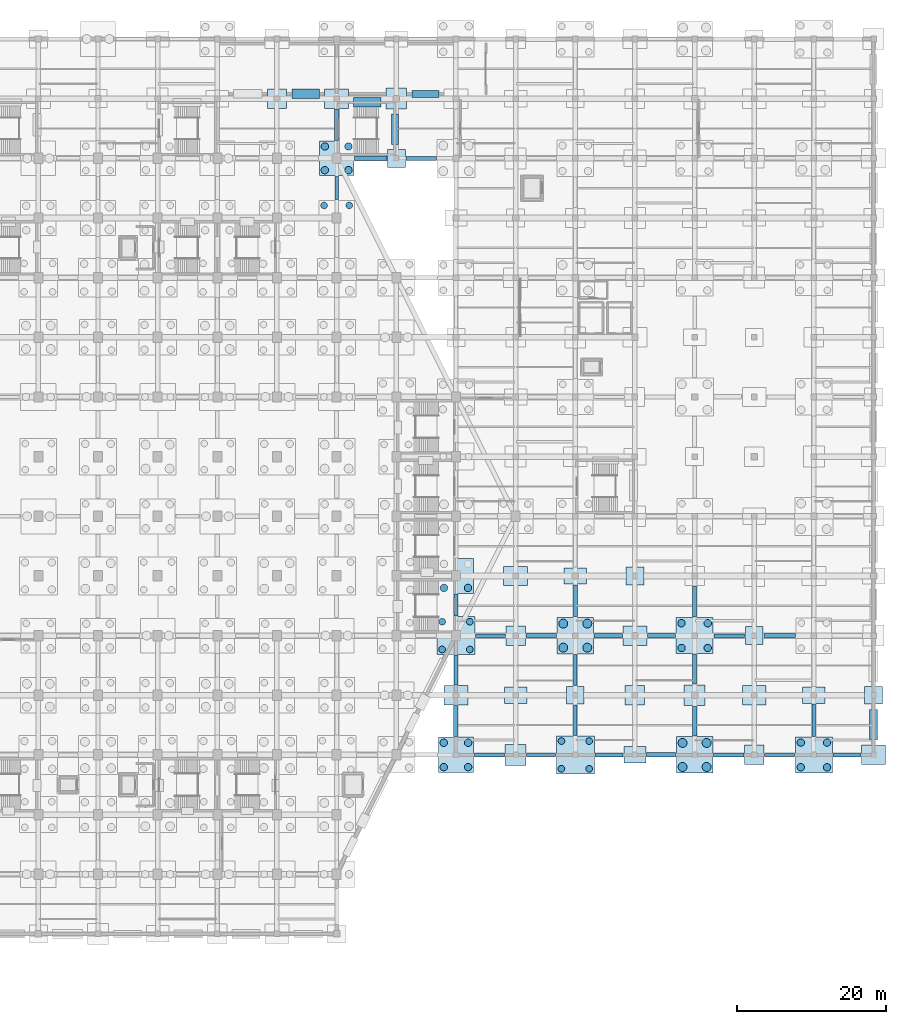
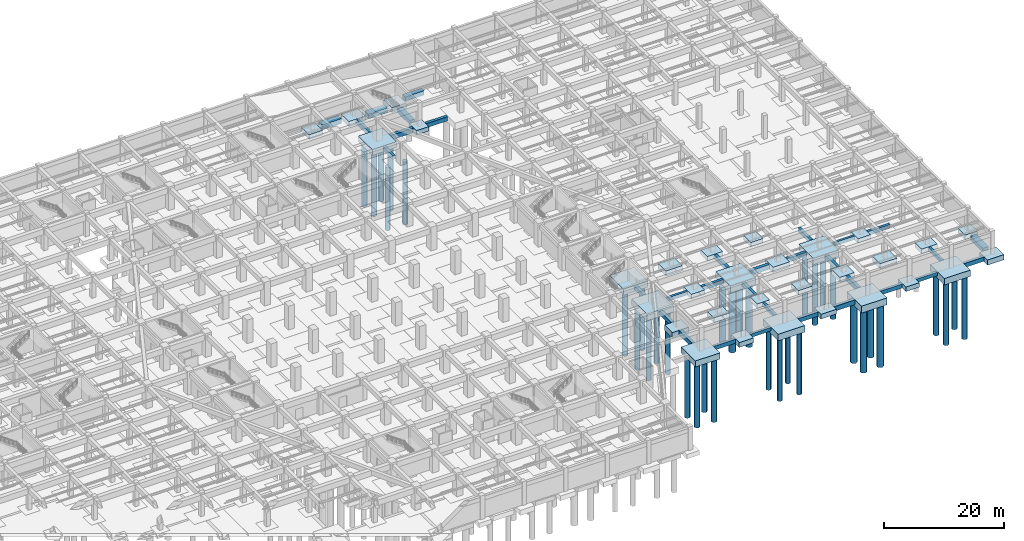
# One storey, part 12 of 36: 63 footings, 36 piles.
"""IFC4 building model written with IfcOpenShell, lengths in metres."""

import ifcopenshell
import ifcopenshell.guid

model = None  # the IFC model being written
_history = None  # IfcOwnerHistory: only IFC2X3 demands one
_inside = {}  # id of a spatial element -> (the spatial element, [elements in it])
_under = {}  # id of a project, library or spatial element -> (it, [spatial elements below it])
_declared = {}  # id of a project -> (the project, [libraries it declares])
_typed = {}  # id of a type object -> (the type object, [elements of that type])
_made_of = {}  # id of a material, layer set ... -> (it, [elements and type objects made of it])


def new_model(schema):
    """Start an empty IFC model of exactly this schema.

    Asked for "IFC4X3", IfcOpenShell would pick the latest addendum, in which some entities
    have other attributes; the version numbers below select the first issue.
    IFC2X3 requires an IfcOwnerHistory on every rooted entity: one is made here for all.
    """
    global model, _history
    if schema == "IFC4X3":
        model = ifcopenshell.file(schema_version=(4, 3, 0, 0))
    else:
        model = ifcopenshell.file(schema=schema)
    _inside.clear()
    _under.clear()
    _declared.clear()
    _typed.clear()
    _made_of.clear()
    _history = None
    if model.schema == "IFC2X3":
        org = make("IfcOrganization", Name="unknown")
        user = make(
            "IfcPersonAndOrganization",
            ThePerson=make("IfcPerson", FamilyName="unknown"),
            TheOrganization=org,
        )
        app = make(
            "IfcApplication",
            ApplicationDeveloper=org,
            Version="unknown",
            ApplicationFullName="unknown",
            ApplicationIdentifier="unknown",
        )
        _history = make(
            "IfcOwnerHistory",
            OwningUser=user,
            OwningApplication=app,
            ChangeAction="ADDED",
            CreationDate=0,
        )
    return model


def make(cls, **values):
    """One entity of the class cls with the attributes given. An attribute that is None is left unset."""
    return model.create_entity(
        cls, **{name: value for name, value in values.items() if value is not None}
    )


def rooted(cls, **values):
    """An entity with a GlobalId (a new one), such as an element, a storey or a relation."""
    return make(cls, GlobalId=ifcopenshell.guid.new(), OwnerHistory=_history, **values)


def si_unit(unit_type, name, prefix=None):
    """IfcSIUnit, for example si_unit("LENGTHUNIT", "METRE", prefix="MILLI")."""
    return make("IfcSIUnit", UnitType=unit_type, Prefix=prefix, Name=name)


def assignment(units):
    """IfcUnitAssignment: the units of a project."""
    return None if units is None else make("IfcUnitAssignment", Units=units)


def point(xyz):
    """IfcCartesianPoint."""
    return None if xyz is None else make("IfcCartesianPoint", Coordinates=xyz)


def direction(xyz):
    """IfcDirection."""
    return None if xyz is None else make("IfcDirection", DirectionRatios=xyz)


def frame(location, z_axis=None, x_axis=None):
    """IfcAxis2Placement3D, a coordinate frame: its origin and axes. An axis left out is left unset."""
    return make(
        "IfcAxis2Placement3D",
        Location=point(location),
        Axis=direction(z_axis),
        RefDirection=direction(x_axis),
    )


def frame_2d(location, x_axis=None):
    """IfcAxis2Placement2D, a coordinate frame in the plane: its origin and x axis."""
    return make(
        "IfcAxis2Placement2D", Location=point(location), RefDirection=direction(x_axis)
    )


def origin():
    """The frame at (0, 0, 0) with its axes left unset."""
    return frame((0.0, 0.0, 0.0))


def origin_2d():
    """The frame at (0, 0) in the plane with its x axis left unset."""
    return frame_2d((0.0, 0.0))


def place(relative_to, where):
    """IfcLocalPlacement: puts the frame where relative to a parent placement (None: the world)."""
    return make(
        "IfcLocalPlacement", PlacementRelTo=relative_to, RelativePlacement=where
    )


def context(
    kind, dimensions, precision=None, world=None, true_north=None, identifier=None
):
    """IfcGeometricRepresentationContext, for example the 3D "Model" context."""
    return make(
        "IfcGeometricRepresentationContext",
        ContextIdentifier=identifier,
        ContextType=kind,
        CoordinateSpaceDimension=dimensions,
        Precision=precision,
        WorldCoordinateSystem=world,
        TrueNorth=true_north,
    )


def subcontext(parent, identifier, kind, view, scale=None):
    """IfcGeometricRepresentationSubContext, for example "Body" below "Model"."""
    return make(
        "IfcGeometricRepresentationSubContext",
        ContextIdentifier=identifier,
        ContextType=kind,
        ParentContext=parent,
        TargetScale=scale,
        TargetView=view,
    )


def project(units=None, contexts=None):
    """IfcProject with its units and contexts."""
    return rooted(
        "IfcProject",
        Name="project",
        RepresentationContexts=contexts,
        UnitsInContext=assignment(units),
    )


def spatial(cls, under=None, at=None, **own):
    """A site, building, storey or space (cls), placed at a placement, below another one or the project."""
    s = rooted(cls, ObjectPlacement=at, **own)
    if under is not None:
        _under.setdefault(under.id(), (under, []))[1].append(s)
    return s


def profile(cls, at=None, kind="AREA", **sizes):
    """A parametric profile (cls). Its sizes go by their IFC names, for example OverallWidth=200.0."""
    return make(cls, ProfileType=kind, Position=at, **sizes)


def rectangle(**sizes):
    """IfcRectangleProfileDef."""
    return profile("IfcRectangleProfileDef", **sizes)


def circle(**sizes):
    """IfcCircleProfileDef."""
    return profile("IfcCircleProfileDef", **sizes)


def extrude(swept, where, along, depth):
    """IfcExtrudedAreaSolid: the profile swept, set in the frame where, extruded along a direction by depth."""
    return make(
        "IfcExtrudedAreaSolid",
        SweptArea=swept,
        Position=where,
        ExtrudedDirection=direction(along),
        Depth=depth,
    )


def shape(context_of_items, identifier, shape_type, items):
    """IfcShapeRepresentation: the items that make up one representation, for example the "Body"."""
    return make(
        "IfcShapeRepresentation",
        ContextOfItems=context_of_items,
        RepresentationIdentifier=identifier,
        RepresentationType=shape_type,
        Items=items,
    )


def material(Name=None, Category=None):
    """IfcMaterial."""
    return make("IfcMaterial", Name=Name, Category=Category)


def material_profile(
    of_material, cross_section, Name=None, Category=None, Priority=None
):
    """IfcMaterialProfile: a cross section and its material."""
    return make(
        "IfcMaterialProfile",
        Name=Name,
        Material=of_material,
        Profile=cross_section,
        Priority=Priority,
        Category=Category,
    )


def profile_set(profiles, Name=None, composite=None):
    """IfcMaterialProfileSet."""
    return make(
        "IfcMaterialProfileSet",
        Name=Name,
        MaterialProfiles=profiles,
        CompositeProfile=composite,
    )


def made_of(thing, what):
    """Note that an element or type object is made of a material, layer set ...; save() writes the relation."""
    if what is not None:
        _made_of.setdefault(what.id(), (what, []))[1].append(thing)
    return thing


def type_object(cls, material=None, **own):
    """A type object (cls), such as IfcWallType, which elements share."""
    return made_of(rooted(cls, **own), material)


def element(
    cls,
    number,
    at=None,
    inside=None,
    cuts=None,
    type_object=None,
    material=None,
    context=None,
    identifier="Body",
    shape_type=None,
    held_by="IfcProductDefinitionShape",
    body=None,
    shapes=None,
    **own,
):
    """One element of the class cls, such as IfcWall. Its Tag is "e" and its number.

    at: its placement. inside: the storey or other place that contains it. cuts: it is an
    opening in that element (IfcRelVoidsElement). A single representation is given by context,
    identifier, shape_type and body (its items); several are given by shapes. held_by: the class
    of the entity that holds the representations. save() writes the other relations.
    """
    e = rooted(cls, Tag="e%d" % number, ObjectPlacement=at, **own)
    if body is not None:
        shapes = [shape(context, identifier, shape_type, body)]
    if shapes is not None:
        e.Representation = make(held_by, Representations=shapes)
    if inside is not None:
        _inside.setdefault(inside.id(), (inside, []))[1].append(e)
    if cuts is not None:
        rooted(
            "IfcRelVoidsElement", RelatingBuildingElement=cuts, RelatedOpeningElement=e
        )
    if type_object is not None:
        _typed.setdefault(type_object.id(), (type_object, []))[1].append(e)
    return made_of(e, material)


def aggregate(whole, parts):
    """IfcRelAggregates: a whole, such as a stair, and the parts it consists of."""
    return rooted("IfcRelAggregates", RelatingObject=whole, RelatedObjects=parts)


def save(model, path):
    """Write the relations noted so far, then the file.

    IfcRelAggregates (storeys below a building ...), IfcRelContainedInSpatialStructure (elements
    in a storey), IfcRelDefinesByType, IfcRelAssociatesMaterial and IfcRelDeclares: one each for
    every whole, place, type object, material and project.
    """
    for whole, parts in _under.values():
        aggregate(whole, parts)
    for where, things in _inside.values():
        rooted(
            "IfcRelContainedInSpatialStructure",
            RelatedElements=things,
            RelatingStructure=where,
        )
    for kind, things in _typed.values():
        rooted("IfcRelDefinesByType", RelatedObjects=things, RelatingType=kind)
    for what, things in _made_of.values():
        rooted("IfcRelAssociatesMaterial", RelatedObjects=things, RelatingMaterial=what)
    for by, libraries in _declared.values():
        rooted("IfcRelDeclares", RelatingContext=by, RelatedDefinitions=libraries)
    model.write(path)


model = new_model("IFC4")

# Units and contexts
model_context = context("Model", 3, precision=1e-05, world=origin(), true_north=direction((0.0, 1.0)))
body_context = subcontext(model_context, "Body", "Model", "MODEL_VIEW")
ifc_project = project(units=[si_unit("LENGTHUNIT", "METRE"), si_unit("AREAUNIT", "SQUARE_METRE"), si_unit("VOLUMEUNIT", "CUBIC_METRE"), si_unit("PLANEANGLEUNIT", "RADIAN"), si_unit("MASSUNIT", "GRAM", prefix="KILO")], contexts=[model_context])

# Site, building, storey
site_placement = place(None, origin())
site = spatial("IfcSite", under=ifc_project, at=site_placement, CompositionType="ELEMENT")
building_placement = place(site_placement, origin())
building = spatial("IfcBuilding", under=site, at=building_placement, Name="Tazarka Park Arena", CompositionType="ELEMENT")
storey_placement = place(building_placement, frame((0.0, 0.0, -4.800048828125)))
storey = spatial("IfcBuildingStorey", under=building, at=storey_placement, Name="B1", CompositionType="ELEMENT", Elevation=-4.800048828125)

# Footings
ifc_material_1 = material(Name="Concrete C35/45", Category="concrete")
footing_type_1 = type_object("IfcFootingType", Name="CAP-PC-01", PredefinedType="PILE_CAP", material=ifc_material_1)
footing_1_placement = place(storey_placement, frame((128.0, 56.0, -1.19970703125), z_axis=(0.0, 0.0, 1.0), x_axis=(1.0, 0.0, 0.0)))
element("IfcFooting", 1, at=footing_1_placement, inside=storey, type_object=footing_type_1, Name="CAP-G-16-07", PredefinedType="PILE_CAP", context=body_context, shape_type="SweptSolid", body=[
    extrude(rectangle(XDim=4.699951171875, YDim=4.699951171875, at=origin_2d()), origin(), (0.0, 0.0, 1.0), 1.199951171875),
])
ifc_material_2 = material(Name="Concrete C35/45", Category="concrete")
footing_type_2 = type_object("IfcFootingType", Name="CAP-PC-02", PredefinedType="PILE_CAP", material=ifc_material_2)
for number, where, z_axis, x_axis, name in (
    (2, (144.0, 48.0, -1.39990234375), (0.0, 0.0, 1.0), (1.0, 0.0, 0.0), "CAP-G-18-06"),
    (3, (160.0, 32.0, -1.39990234375), (0.0, 0.0, 1.0), (1.0, 0.0, 0.0), "CAP-G-20-04"),
):
    element("IfcFooting", number, at=place(storey_placement, frame(where, z_axis=z_axis, x_axis=x_axis)), inside=storey, type_object=footing_type_2, Name=name, PredefinedType="PILE_CAP", context=body_context, shape_type="SweptSolid", body=[
        extrude(rectangle(XDim=4.89990234375, YDim=4.89990234375, at=origin_2d()), origin(), (0.0, 0.0, 1.0), 1.39990234375),
    ])
ifc_material_3 = material(Name="Concrete C35/45", Category="concrete")
footing_type_3 = type_object("IfcFootingType", Name="CAP-PC-04", PredefinedType="PILE_CAP", material=ifc_material_3)
for number, where, z_axis, x_axis, name in (
    (4, (160.0, 48.0, -1.2998046875), (0.0, 0.0, 1.0), (1.0, 0.0, 0.0), "CAP-G-20-06"),
    (5, (176.0, 32.0, -1.2998046875), (0.0, 0.0, 1.0), (1.0, 0.0, 0.0), "CAP-G-22-04"),
):
    element("IfcFooting", number, at=place(storey_placement, frame(where, z_axis=z_axis, x_axis=x_axis)), inside=storey, type_object=footing_type_3, Name=name, PredefinedType="PILE_CAP", context=body_context, shape_type="SweptSolid", body=[
        extrude(rectangle(XDim=5.0, YDim=4.800048828125, at=origin_2d()), origin(), (0.0, 0.0, 1.0), 1.300048828125),
    ])
ifc_material_4 = material(Name="Concrete C35/45", Category="concrete")
footing_type_4 = type_object("IfcFootingType", Name="CAP-PC-06", PredefinedType="PILE_CAP", material=ifc_material_4)
footing_2_placement = place(storey_placement, frame((128.0, 32.0, -1.25), z_axis=(0.0, 0.0, 1.0), x_axis=(1.0, 0.0, 0.0)))
element("IfcFooting", 6, at=footing_2_placement, inside=storey, type_object=footing_type_4, Name="CAP-G-16-04", PredefinedType="PILE_CAP", context=body_context, shape_type="SweptSolid", body=[
    extrude(rectangle(XDim=4.75, YDim=4.75, at=origin_2d()), origin(), (0.0, 0.0, 1.0), 1.25),
])
ifc_material_5 = material(Name="Concrete C35/45", Category="concrete")
footing_type_5 = type_object("IfcFootingType", Name="CAP-PC-07", PredefinedType="PILE_CAP", material=ifc_material_5)
footing_3_placement = place(storey_placement, frame((112.0, 112.0, -1.14990234375), z_axis=(0.0, 0.0, 1.0), x_axis=(1.0, 0.0, 0.0)))
element("IfcFooting", 7, at=footing_3_placement, inside=storey, type_object=footing_type_5, Name="CAP-G-14-14", PredefinedType="PILE_CAP", context=body_context, shape_type="SweptSolid", body=[
    extrude(rectangle(XDim=4.64990234375, YDim=4.64990234375, at=origin_2d()), origin(), (0.0, 0.0, 1.0), 1.14990234375),
])
ifc_material_6 = material(Name="Concrete C35/45", Category="concrete")
footing_type_6 = type_object("IfcFootingType", Name="CAP-PC-08", PredefinedType="PILE_CAP", material=ifc_material_6)
for number, where, z_axis, x_axis, name in (
    (8, (128.0, 48.0, -1.35009765625), (0.0, 0.0, 1.0), (1.0, 0.0, 0.0), "CAP-G-16-06"),
    (9, (144.0, 32.0, -1.35009765625), (0.0, 0.0, 1.0), (1.0, 0.0, 0.0), "CAP-G-18-04"),
):
    element("IfcFooting", number, at=place(storey_placement, frame(where, z_axis=z_axis, x_axis=x_axis)), inside=storey, type_object=footing_type_6, Name=name, PredefinedType="PILE_CAP", context=body_context, shape_type="SweptSolid", body=[
        extrude(rectangle(XDim=5.10009765625, YDim=5.10009765625, at=origin_2d()), origin(), (0.0, 0.0, 1.0), 1.35009765625),
    ])
ifc_material_7 = material(Name="Concrete C35/45", Category="concrete")
ifc_material_profile_1 = material_profile(ifc_material_7, rectangle(XDim=0.449951171875, YDim=0.699951171875, at=origin_2d()), Name="Concrete C35/45")
ifc_profile_set_1 = profile_set([ifc_material_profile_1], Name="Concrete C35/45")
footing_type_7 = type_object("IfcFootingType", Name="GB-GB-01", PredefinedType="FOOTING_BEAM", material=ifc_profile_set_1)
footing_4_placement = place(storey_placement, frame((130.6298828125, 48.0, -0.349853515625), z_axis=(1.0, 0.0, 0.0), x_axis=(0.0, 1.0, 0.0)))
element("IfcFooting", 10, at=footing_4_placement, inside=storey, type_object=footing_type_7, Name="GB-X-16-06", PredefinedType="FOOTING_BEAM", context=body_context, shape_type="SweptSolid", body=[
    extrude(rectangle(XDim=0.449951171875, YDim=0.699951171875, at=origin_2d()), origin(), (0.0, 0.0, 1.0), 3.990234375),
])
footing_5_placement = place(storey_placement, frame((137.47998046875, 32.0, -0.349853515625), z_axis=(1.0, 0.0, 0.0), x_axis=(0.0, 1.0, 0.0)))
element("IfcFooting", 11, at=footing_5_placement, inside=storey, type_object=footing_type_7, Name="GB-X-17-04", PredefinedType="FOOTING_BEAM", context=body_context, shape_type="SweptSolid", body=[
    extrude(rectangle(XDim=0.449951171875, YDim=0.699951171875, at=origin_2d()), origin(), (0.0, 0.0, 1.0), 3.89013671875),
])
footing_6_placement = place(storey_placement, frame((144.0, 34.6298828125, -0.349853515625), z_axis=(0.0, 1.0, 0.0), x_axis=(-1.0, 0.0, 0.0)))
element("IfcFooting", 12, at=footing_6_placement, inside=storey, type_object=footing_type_7, Name="GB-Y-18-04", PredefinedType="FOOTING_BEAM", context=body_context, shape_type="SweptSolid", body=[
    extrude(rectangle(XDim=0.449951171875, YDim=0.699951171875, at=origin_2d()), origin(), (0.0, 0.0, 1.0), 4.090087890625),
])
footing_7_placement = place(storey_placement, frame((162.580078125, 48.0, -0.349853515625), z_axis=(1.0, 0.0, 0.0), x_axis=(0.0, 1.0, 0.0)))
element("IfcFooting", 13, at=footing_7_placement, inside=storey, type_object=footing_type_7, Name="GB-X-20-06", PredefinedType="FOOTING_BEAM", context=body_context, shape_type="SweptSolid", body=[
    extrude(rectangle(XDim=0.449951171875, YDim=0.699951171875, at=origin_2d()), origin(), (0.0, 0.0, 1.0), 4.139892578125),
])
footing_8_placement = place(storey_placement, frame((169.3798828125, 32.0, -0.349853515625), z_axis=(1.0, 0.0, 0.0), x_axis=(0.0, 1.0, 0.0)))
element("IfcFooting", 14, at=footing_8_placement, inside=storey, type_object=footing_type_7, Name="GB-X-21-04", PredefinedType="FOOTING_BEAM", context=body_context, shape_type="SweptSolid", body=[
    extrude(rectangle(XDim=0.449951171875, YDim=0.699951171875, at=origin_2d()), origin(), (0.0, 0.0, 1.0), 4.0400390625),
])
footing_9_placement = place(storey_placement, frame((176.0, 34.47998046875, -0.349853515625), z_axis=(0.0, 1.0, 0.0), x_axis=(-1.0, 0.0, 0.0)))
element("IfcFooting", 15, at=footing_9_placement, inside=storey, type_object=footing_type_7, Name="GB-Y-22-04", PredefinedType="FOOTING_BEAM", context=body_context, shape_type="SweptSolid", body=[
    extrude(rectangle(XDim=0.449951171875, YDim=0.699951171875, at=origin_2d()), origin(), (0.0, 0.0, 1.0), 4.340087890625),
])
ifc_material_8 = material(Name="Concrete C35/45", Category="concrete")
ifc_material_profile_2 = material_profile(ifc_material_8, rectangle(XDim=0.5, YDim=0.800048828125, at=origin_2d()), Name="Concrete C35/45")
ifc_profile_set_2 = profile_set([ifc_material_profile_2], Name="Concrete C35/45")
footing_type_8 = type_object("IfcFootingType", Name="GB-GB-02", PredefinedType="FOOTING_BEAM", material=ifc_profile_set_2)
footing_10_placement = place(storey_placement, frame((112.0, 106.455078125, -0.39990234375), z_axis=(0.0, 1.0, 0.0), x_axis=(-1.0, 0.0, 0.0)))
element("IfcFooting", 16, at=footing_10_placement, inside=storey, type_object=footing_type_8, Name="GB-Y-14-13", PredefinedType="FOOTING_BEAM", context=body_context, shape_type="SweptSolid", body=[
    extrude(rectangle(XDim=0.5, YDim=0.800048828125, at=origin_2d()), origin(), (0.0, 0.0, 1.0), 3.139892578125),
])
footing_11_placement = place(storey_placement, frame((130.455078125, 32.0, -0.39990234375), z_axis=(1.0, 0.0, 0.0), x_axis=(0.0, 1.0, 0.0)))
element("IfcFooting", 17, at=footing_11_placement, inside=storey, type_object=footing_type_8, Name="GB-X-16-04", PredefinedType="FOOTING_BEAM", context=body_context, shape_type="SweptSolid", body=[
    extrude(rectangle(XDim=0.5, YDim=0.800048828125, at=origin_2d()), origin(), (0.0, 0.0, 1.0), 4.06494140625),
])
footing_12_placement = place(storey_placement, frame((128.0, 50.6298828125, -0.39990234375), z_axis=(0.0, 1.0, 0.0), x_axis=(-1.0, 0.0, 0.0)))
element("IfcFooting", 18, at=footing_12_placement, inside=storey, type_object=footing_type_8, Name="GB-Y-16-06", PredefinedType="FOOTING_BEAM", context=body_context, shape_type="SweptSolid", body=[
    extrude(rectangle(XDim=0.5, YDim=0.800048828125, at=origin_2d()), origin(), (0.0, 0.0, 1.0), 2.940185546875),
])
footing_13_placement = place(storey_placement, frame((137.3798828125, 48.0, -0.39990234375), z_axis=(1.0, 0.0, 0.0), x_axis=(0.0, 1.0, 0.0)))
element("IfcFooting", 19, at=footing_13_placement, inside=storey, type_object=footing_type_8, Name="GB-X-17-06", PredefinedType="FOOTING_BEAM", context=body_context, shape_type="SweptSolid", body=[
    extrude(rectangle(XDim=0.5, YDim=0.800048828125, at=origin_2d()), origin(), (0.0, 0.0, 1.0), 4.090087890625),
])
footing_14_placement = place(storey_placement, frame((144.0, 41.280029296875, -0.39990234375), z_axis=(0.0, 1.0, 0.0), x_axis=(-1.0, 0.0, 0.0)))
element("IfcFooting", 20, at=footing_14_placement, inside=storey, type_object=footing_type_8, Name="GB-Y-18-05", PredefinedType="FOOTING_BEAM", context=body_context, shape_type="SweptSolid", body=[
    extrude(rectangle(XDim=0.5, YDim=0.800048828125, at=origin_2d()), origin(), (0.0, 0.0, 1.0), 4.18994140625),
])
footing_15_placement = place(storey_placement, frame((162.530029296875, 32.0, -0.39990234375), z_axis=(1.0, 0.0, 0.0), x_axis=(0.0, 1.0, 0.0)))
element("IfcFooting", 21, at=footing_15_placement, inside=storey, type_object=footing_type_8, Name="GB-X-20-04", PredefinedType="FOOTING_BEAM", context=body_context, shape_type="SweptSolid", body=[
    extrude(rectangle(XDim=0.5, YDim=0.800048828125, at=origin_2d()), origin(), (0.0, 0.0, 1.0), 4.090087890625),
])
footing_16_placement = place(storey_placement, frame((160.0, 50.47998046875, -0.39990234375), z_axis=(0.0, 1.0, 0.0), x_axis=(-1.0, 0.0, 0.0)))
element("IfcFooting", 22, at=footing_16_placement, inside=storey, type_object=footing_type_8, Name="GB-Y-20-06", PredefinedType="FOOTING_BEAM", context=body_context, shape_type="SweptSolid", body=[
    extrude(rectangle(XDim=0.5, YDim=0.800048828125, at=origin_2d()), origin(), (0.0, 0.0, 1.0), 4.14013671875),
])
footing_17_placement = place(storey_placement, frame((169.280029296875, 48.0, -0.39990234375), z_axis=(1.0, 0.0, 0.0), x_axis=(0.0, 1.0, 0.0)))
element("IfcFooting", 23, at=footing_17_placement, inside=storey, type_object=footing_type_8, Name="GB-X-21-06", PredefinedType="FOOTING_BEAM", context=body_context, shape_type="SweptSolid", body=[
    extrude(rectangle(XDim=0.5, YDim=0.800048828125, at=origin_2d()), origin(), (0.0, 0.0, 1.0), 4.264892578125),
])
ifc_material_9 = material(Name="Concrete C35/45", Category="concrete")
ifc_material_profile_3 = material_profile(ifc_material_9, rectangle(XDim=0.60009765625, YDim=0.949951171875, at=origin_2d()), Name="Concrete C35/45")
ifc_profile_set_3 = profile_set([ifc_material_profile_3], Name="Concrete C35/45")
footing_type_9 = type_object("IfcFootingType", Name="GB-GB-03", PredefinedType="FOOTING_BEAM", material=ifc_profile_set_3)
footing_18_placement = place(storey_placement, frame((114.405029296875, 112.0, -0.474853515625), z_axis=(1.0, 0.0, 0.0), x_axis=(0.0, 1.0, 0.0)))
element("IfcFooting", 24, at=footing_18_placement, inside=storey, type_object=footing_type_9, Name="GB-X-14-14", PredefinedType="FOOTING_BEAM", context=body_context, shape_type="SweptSolid", body=[
    extrude(rectangle(XDim=0.60009765625, YDim=0.949951171875, at=origin_2d()), origin(), (0.0, 0.0, 1.0), 4.31494140625),
])
footing_19_placement = place(storey_placement, frame((128.0, 34.455078125, -0.474853515625), z_axis=(0.0, 1.0, 0.0), x_axis=(-1.0, 0.0, 0.0)))
element("IfcFooting", 25, at=footing_19_placement, inside=storey, type_object=footing_type_9, Name="GB-Y-16-04", PredefinedType="FOOTING_BEAM", context=body_context, shape_type="SweptSolid", body=[
    extrude(rectangle(XDim=0.60009765625, YDim=0.949951171875, at=origin_2d()), origin(), (0.0, 0.0, 1.0), 4.1650390625),
])
footing_20_placement = place(storey_placement, frame((146.530029296875, 48.0, -0.474853515625), z_axis=(1.0, 0.0, 0.0), x_axis=(0.0, 1.0, 0.0)))
element("IfcFooting", 26, at=footing_20_placement, inside=storey, type_object=footing_type_9, Name="GB-X-18-06", PredefinedType="FOOTING_BEAM", context=body_context, shape_type="SweptSolid", body=[
    extrude(rectangle(XDim=0.60009765625, YDim=0.949951171875, at=origin_2d()), origin(), (0.0, 0.0, 1.0), 3.7900390625),
])
footing_21_placement = place(storey_placement, frame((153.580078125, 32.0, -0.474853515625), z_axis=(1.0, 0.0, 0.0), x_axis=(0.0, 1.0, 0.0)))
element("IfcFooting", 27, at=footing_21_placement, inside=storey, type_object=footing_type_9, Name="GB-X-19-04", PredefinedType="FOOTING_BEAM", context=body_context, shape_type="SweptSolid", body=[
    extrude(rectangle(XDim=0.60009765625, YDim=0.949951171875, at=origin_2d()), origin(), (0.0, 0.0, 1.0), 3.889892578125),
])
footing_22_placement = place(storey_placement, frame((160.0, 34.530029296875, -0.474853515625), z_axis=(0.0, 1.0, 0.0), x_axis=(-1.0, 0.0, 0.0)))
element("IfcFooting", 28, at=footing_22_placement, inside=storey, type_object=footing_type_9, Name="GB-Y-20-04", PredefinedType="FOOTING_BEAM", context=body_context, shape_type="SweptSolid", body=[
    extrude(rectangle(XDim=0.60009765625, YDim=0.949951171875, at=origin_2d()), origin(), (0.0, 0.0, 1.0), 3.989990234375),
])
ifc_material_10 = material(Name="Concrete C35/45", Category="concrete")
ifc_material_profile_4 = material_profile(ifc_material_10, rectangle(XDim=0.550048828125, YDim=0.85009765625, at=origin_2d()), Name="Concrete C35/45")
ifc_profile_set_4 = profile_set([ifc_material_profile_4], Name="Concrete C35/45")
footing_type_10 = type_object("IfcFootingType", Name="GB-GB-04", PredefinedType="FOOTING_BEAM", material=ifc_profile_set_4)
footing_23_placement = place(storey_placement, frame((112.0, 114.405029296875, -0.425048828125), z_axis=(0.0, 1.0, 0.0), x_axis=(-1.0, 0.0, 0.0)))
element("IfcFooting", 29, at=footing_23_placement, inside=storey, type_object=footing_type_10, Name="GB-Y-14-14", PredefinedType="FOOTING_BEAM", context=body_context, shape_type="SweptSolid", body=[
    extrude(rectangle(XDim=0.550048828125, YDim=0.85009765625, at=origin_2d()), origin(), (0.0, 0.0, 1.0), 4.215087890625),
])
footing_24_placement = place(storey_placement, frame((121.280029296875, 112.0, -0.425048828125), z_axis=(1.0, 0.0, 0.0), x_axis=(0.0, 1.0, 0.0)))
element("IfcFooting", 30, at=footing_24_placement, inside=storey, type_object=footing_type_10, Name="GB-X-15-14", PredefinedType="FOOTING_BEAM", context=body_context, shape_type="SweptSolid", body=[
    extrude(rectangle(XDim=0.550048828125, YDim=0.85009765625, at=origin_2d()), origin(), (0.0, 0.0, 1.0), 4.090087890625),
])
footing_25_placement = place(storey_placement, frame((128.0, 41.3798828125, -0.425048828125), z_axis=(0.0, 1.0, 0.0), x_axis=(-1.0, 0.0, 0.0)))
element("IfcFooting", 31, at=footing_25_placement, inside=storey, type_object=footing_type_10, Name="GB-Y-16-05", PredefinedType="FOOTING_BEAM", context=body_context, shape_type="SweptSolid", body=[
    extrude(rectangle(XDim=0.550048828125, YDim=0.85009765625, at=origin_2d()), origin(), (0.0, 0.0, 1.0), 3.990234375),
])
footing_26_placement = place(storey_placement, frame((146.6298828125, 32.0, -0.425048828125), z_axis=(1.0, 0.0, 0.0), x_axis=(0.0, 1.0, 0.0)))
element("IfcFooting", 32, at=footing_26_placement, inside=storey, type_object=footing_type_10, Name="GB-X-18-04", PredefinedType="FOOTING_BEAM", context=body_context, shape_type="SweptSolid", body=[
    extrude(rectangle(XDim=0.550048828125, YDim=0.85009765625, at=origin_2d()), origin(), (0.0, 0.0, 1.0), 3.7900390625),
])
footing_27_placement = place(storey_placement, frame((144.0, 50.530029296875, -0.425048828125), z_axis=(0.0, 1.0, 0.0), x_axis=(-1.0, 0.0, 0.0)))
element("IfcFooting", 33, at=footing_27_placement, inside=storey, type_object=footing_type_10, Name="GB-Y-18-06", PredefinedType="FOOTING_BEAM", context=body_context, shape_type="SweptSolid", body=[
    extrude(rectangle(XDim=0.550048828125, YDim=0.85009765625, at=origin_2d()), origin(), (0.0, 0.0, 1.0), 4.2900390625),
])
footing_28_placement = place(storey_placement, frame((153.679931640625, 48.0, -0.425048828125), z_axis=(1.0, 0.0, 0.0), x_axis=(0.0, 1.0, 0.0)))
element("IfcFooting", 34, at=footing_28_placement, inside=storey, type_object=footing_type_10, Name="GB-X-19-06", PredefinedType="FOOTING_BEAM", context=body_context, shape_type="SweptSolid", body=[
    extrude(rectangle(XDim=0.550048828125, YDim=0.85009765625, at=origin_2d()), origin(), (0.0, 0.0, 1.0), 3.739990234375),
])
footing_29_placement = place(storey_placement, frame((160.0, 41.47998046875, -0.425048828125), z_axis=(0.0, 1.0, 0.0), x_axis=(-1.0, 0.0, 0.0)))
element("IfcFooting", 35, at=footing_29_placement, inside=storey, type_object=footing_type_10, Name="GB-Y-20-05", PredefinedType="FOOTING_BEAM", context=body_context, shape_type="SweptSolid", body=[
    extrude(rectangle(XDim=0.550048828125, YDim=0.85009765625, at=origin_2d()), origin(), (0.0, 0.0, 1.0), 4.0400390625),
])
footing_30_placement = place(storey_placement, frame((178.580078125, 32.0, -0.425048828125), z_axis=(1.0, 0.0, 0.0), x_axis=(0.0, 1.0, 0.0)))
element("IfcFooting", 36, at=footing_30_placement, inside=storey, type_object=footing_type_10, Name="GB-X-22-04", PredefinedType="FOOTING_BEAM", context=body_context, shape_type="SweptSolid", body=[
    extrude(rectangle(XDim=0.550048828125, YDim=0.85009765625, at=origin_2d()), origin(), (0.0, 0.0, 1.0), 3.739990234375),
])
ifc_material_11 = material(Name="Concrete C35/45", Category="concrete")
footing_type_11 = type_object("IfcFootingType", Name="PAD-PF-01", PredefinedType="PAD_FOOTING", material=ifc_material_11)
for number, where, z_axis, x_axis, name in (
    (37, (120.0, 112.0, -0.89990234375), (0.0, 0.0, 1.0), (1.0, 0.0, 0.0), "PAD-G-15-14"),
    (38, (144.0, 40.0, -0.89990234375), (0.0, 0.0, 1.0), (1.0, 0.0, 0.0), "PAD-G-18-05"),
    (39, (152.0, 56.0, -0.89990234375), (0.0, 0.0, 1.0), (1.0, 0.0, 0.0), "PAD-G-19-07"),
    (40, (168.0, 48.0, -0.89990234375), (0.0, 0.0, 1.0), (1.0, 0.0, 0.0), "PAD-G-21-06"),
    (41, (184.0, 40.0, -0.89990234375), (0.0, 0.0, 1.0), (1.0, 0.0, 0.0), "PAD-G-23-05"),
):
    element("IfcFooting", number, at=place(storey_placement, frame(where, z_axis=z_axis, x_axis=x_axis)), inside=storey, type_object=footing_type_11, Name=name, PredefinedType="PAD_FOOTING", context=body_context, shape_type="SweptSolid", body=[
        extrude(rectangle(XDim=2.39990234375, YDim=2.39990234375, at=origin_2d()), origin(), (0.0, 0.0, 1.0), 0.89990234375),
    ])
ifc_material_12 = material(Name="Concrete C35/45", Category="concrete")
footing_type_12 = type_object("IfcFootingType", Name="PAD-PF-02", PredefinedType="PAD_FOOTING", material=ifc_material_12)
for number, where, z_axis, x_axis, name in (
    (42, (120.0, 120.0, -1.0), (0.0, 0.0, 1.0), (1.0, 0.0, 0.0), "PAD-G-15-15"),
    (43, (136.0, 32.0, -1.0), (0.0, 0.0, 1.0), (1.0, 0.0, 0.0), "PAD-G-17-04"),
    (44, (160.0, 40.0, -1.0), (0.0, 0.0, 1.0), (1.0, 0.0, 0.0), "PAD-G-20-05"),
):
    element("IfcFooting", number, at=place(storey_placement, frame(where, z_axis=z_axis, x_axis=x_axis)), inside=storey, type_object=footing_type_12, Name=name, PredefinedType="PAD_FOOTING", context=body_context, shape_type="SweptSolid", body=[
        extrude(rectangle(XDim=2.800048828125, YDim=2.800048828125, at=origin_2d()), origin(), (0.0, 0.0, 1.0), 1.0),
    ])
ifc_material_13 = material(Name="Concrete C35/45", Category="concrete")
footing_type_13 = type_object("IfcFootingType", Name="PAD-PF-03", PredefinedType="PAD_FOOTING", material=ifc_material_13)
for number, where, z_axis, x_axis, name in (
    (45, (136.0, 40.0, -0.94970703125), (0.0, 0.0, 1.0), (1.0, 0.0, 0.0), "PAD-G-17-05"),
    (46, (144.0, 56.0, -0.94970703125), (0.0, 0.0, 1.0), (1.0, 0.0, 0.0), "PAD-G-18-07"),
    (47, (152.0, 32.0, -0.94970703125), (0.0, 0.0, 1.0), (1.0, 0.0, 0.0), "PAD-G-19-04"),
    (48, (176.0, 40.0, -0.94970703125), (0.0, 0.0, 1.0), (1.0, 0.0, 0.0), "PAD-G-22-05"),
):
    element("IfcFooting", number, at=place(storey_placement, frame(where, z_axis=z_axis, x_axis=x_axis)), inside=storey, type_object=footing_type_13, Name=name, PredefinedType="PAD_FOOTING", context=body_context, shape_type="SweptSolid", body=[
        extrude(rectangle(XDim=3.0, YDim=2.199951171875, at=origin_2d()), origin(), (0.0, 0.0, 1.0), 0.949951171875),
    ])
ifc_material_14 = material(Name="Concrete C35/45", Category="concrete")
footing_type_14 = type_object("IfcFootingType", Name="PAD-PF-04", PredefinedType="PAD_FOOTING", material=ifc_material_14)
for number, where, z_axis, x_axis, name in (
    (49, (104.0, 120.0, -0.919921875), (0.0, 0.0, 1.0), (1.0, 0.0, 0.0), "PAD-G-13-15"),
    (50, (136.0, 48.0, -0.919921875), (0.0, 0.0, 1.0), (1.0, 0.0, 0.0), "PAD-G-17-06"),
    (51, (152.0, 40.0, -0.919921875), (0.0, 0.0, 1.0), (1.0, 0.0, 0.0), "PAD-G-19-05"),
    (52, (168.0, 32.0, -0.919921875), (0.0, 0.0, 1.0), (1.0, 0.0, 0.0), "PAD-G-21-04"),
):
    element("IfcFooting", number, at=place(storey_placement, frame(where, z_axis=z_axis, x_axis=x_axis)), inside=storey, type_object=footing_type_14, Name=name, PredefinedType="PAD_FOOTING", context=body_context, shape_type="SweptSolid", body=[
        extrude(rectangle(XDim=2.60009765625, YDim=2.60009765625, at=origin_2d()), origin(), (0.0, 0.0, 1.0), 0.919921875),
    ])
ifc_material_15 = material(Name="Concrete C35/45", Category="concrete")
footing_type_15 = type_object("IfcFootingType", Name="PAD-PF-05", PredefinedType="PAD_FOOTING", material=ifc_material_15)
for number, where, z_axis, x_axis, name in (
    (53, (112.0, 120.0, -1.0498046875), (0.0, 0.0, 1.0), (1.0, 0.0, 0.0), "PAD-G-14-15"),
    (54, (128.0, 40.0, -1.0498046875), (0.0, 0.0, 1.0), (1.0, 0.0, 0.0), "PAD-G-16-05"),
    (55, (136.0, 56.0, -1.0498046875), (0.0, 0.0, 1.0), (1.0, 0.0, 0.0), "PAD-G-17-07"),
    (56, (152.0, 48.0, -1.0498046875), (0.0, 0.0, 1.0), (1.0, 0.0, 0.0), "PAD-G-19-06"),
    (57, (168.0, 40.0, -1.0498046875), (0.0, 0.0, 1.0), (1.0, 0.0, 0.0), "PAD-G-21-05"),
    (58, (184.0, 32.0, -1.0498046875), (0.0, 0.0, 1.0), (1.0, 0.0, 0.0), "PAD-G-23-04"),
):
    element("IfcFooting", number, at=place(storey_placement, frame(where, z_axis=z_axis, x_axis=x_axis)), inside=storey, type_object=footing_type_15, Name=name, PredefinedType="PAD_FOOTING", context=body_context, shape_type="SweptSolid", body=[
        extrude(rectangle(XDim=3.199951171875, YDim=2.60009765625, at=origin_2d()), origin(), (0.0, 0.0, 1.0), 1.050048828125),
    ])

# Piles
ifc_material_16 = material(Name="Concrete C35/45", Category="concrete")
ifc_material_profile_5 = material_profile(ifc_material_16, circle(Radius=0.5, at=origin_2d()), Name="Concrete C35/45")
ifc_profile_set_5 = profile_set([ifc_material_profile_5], Name="Concrete C35/45")
pile_type_1 = type_object("IfcPileType", Name="PILE-D1000", PredefinedType="BORED", material=ifc_profile_set_5)
for number, where, z_axis, x_axis, name in (
    (59, (110.4150390625, 110.4150390625, -1.050048828125), (0.0, 0.0, -1.0), (1.0, 0.0, 0.0), "PLN-G-14-14-1"),
    (60, (113.5849609375, 110.4150390625, -1.050048828125), (0.0, 0.0, -1.0), (1.0, 0.0, 0.0), "PLN-G-14-14-2"),
    (61, (110.4150390625, 113.5849609375, -1.050048828125), (0.0, 0.0, -1.0), (1.0, 0.0, 0.0), "PLN-G-14-14-3"),
    (62, (113.5849609375, 113.5849609375, -1.050048828125), (0.0, 0.0, -1.0), (1.0, 0.0, 0.0), "PLN-G-14-14-4"),
):
    element("IfcPile", number, at=place(storey_placement, frame(where, z_axis=z_axis, x_axis=x_axis)), inside=storey, type_object=pile_type_1, Name=name, PredefinedType="BORED", context=body_context, shape_type="SweptSolid", body=[
        extrude(circle(Radius=0.5, at=origin_2d()), origin(), (0.0, 0.0, 1.0), 12.949951171875),
    ])
for number, where, z_axis, x_axis, name in (
    (63, (126.364990234375, 30.364990234375, -1.14990234375), (0.0, 0.0, -1.0), (1.0, 0.0, 0.0), "PLN-G-16-04-1"),
    (64, (129.635009765625, 30.364990234375, -1.14990234375), (0.0, 0.0, -1.0), (1.0, 0.0, 0.0), "PLN-G-16-04-2"),
    (65, (126.364990234375, 33.635009765625, -1.14990234375), (0.0, 0.0, -1.0), (1.0, 0.0, 0.0), "PLN-G-16-04-3"),
    (66, (129.635009765625, 33.635009765625, -1.14990234375), (0.0, 0.0, -1.0), (1.0, 0.0, 0.0), "PLN-G-16-04-4"),
):
    element("IfcPile", number, at=place(storey_placement, frame(where, z_axis=z_axis, x_axis=x_axis)), inside=storey, type_object=pile_type_1, Name=name, PredefinedType="BORED", context=body_context, shape_type="SweptSolid", body=[
        extrude(circle(Radius=0.5, at=origin_2d()), origin(), (0.0, 0.0, 1.0), 12.85009765625),
    ])
for number, where, z_axis, x_axis, name in (
    (67, (126.389892578125, 54.389892578125, -1.099853515625), (0.0, 0.0, -1.0), (1.0, 0.0, 0.0), "PLN-G-16-07-1"),
    (68, (129.610107421875, 54.389892578125, -1.099853515625), (0.0, 0.0, -1.0), (1.0, 0.0, 0.0), "PLN-G-16-07-2"),
):
    element("IfcPile", number, at=place(storey_placement, frame(where, z_axis=z_axis, x_axis=x_axis)), inside=storey, type_object=pile_type_1, Name=name, PredefinedType="BORED", context=body_context, shape_type="SweptSolid", body=[
        extrude(circle(Radius=0.5, at=origin_2d()), origin(), (0.0, 0.0, 1.0), 12.89990234375),
    ])
for number, where, z_axis, x_axis, name in (
    (69, (158.239990234375, 46.340087890625, -1.199951171875), (0.0, 0.0, -1.0), (1.0, 0.0, 0.0), "PLN-G-20-06-1"),
    (70, (161.760009765625, 46.340087890625, -1.199951171875), (0.0, 0.0, -1.0), (1.0, 0.0, 0.0), "PLN-G-20-06-2"),
    (71, (158.239990234375, 49.659912109375, -1.199951171875), (0.0, 0.0, -1.0), (1.0, 0.0, 0.0), "PLN-G-20-06-3"),
    (72, (161.760009765625, 49.659912109375, -1.199951171875), (0.0, 0.0, -1.0), (1.0, 0.0, 0.0), "PLN-G-20-06-4"),
    (73, (174.239990234375, 30.340087890625, -1.199951171875), (0.0, 0.0, -1.0), (1.0, 0.0, 0.0), "PLN-G-22-04-1"),
    (74, (177.760009765625, 30.340087890625, -1.199951171875), (0.0, 0.0, -1.0), (1.0, 0.0, 0.0), "PLN-G-22-04-2"),
    (75, (174.239990234375, 33.659912109375, -1.199951171875), (0.0, 0.0, -1.0), (1.0, 0.0, 0.0), "PLN-G-22-04-3"),
    (76, (177.760009765625, 33.659912109375, -1.199951171875), (0.0, 0.0, -1.0), (1.0, 0.0, 0.0), "PLN-G-22-04-4"),
):
    element("IfcPile", number, at=place(storey_placement, frame(where, z_axis=z_axis, x_axis=x_axis)), inside=storey, type_object=pile_type_1, Name=name, PredefinedType="BORED", context=body_context, shape_type="SweptSolid", body=[
        extrude(circle(Radius=0.5, at=origin_2d()), origin(), (0.0, 0.0, 1.0), 12.800048828125),
    ])
ifc_material_17 = material(Name="Concrete C35/45", Category="concrete")
ifc_material_profile_6 = material_profile(ifc_material_17, circle(Radius=0.60009765625, at=origin_2d()), Name="Concrete C35/45")
ifc_profile_set_6 = profile_set([ifc_material_profile_6], Name="Concrete C35/45")
pile_type_2 = type_object("IfcPileType", Name="PILE-D1200", PredefinedType="BORED", material=ifc_profile_set_6)
for number, where, z_axis, x_axis, name in (
    (77, (142.389892578125, 46.389892578125, -1.300048828125), (0.0, 0.0, -1.0), (1.0, 0.0, 0.0), "PLN-G-18-06-1"),
    (78, (145.610107421875, 46.389892578125, -1.300048828125), (0.0, 0.0, -1.0), (1.0, 0.0, 0.0), "PLN-G-18-06-2"),
    (79, (142.389892578125, 49.610107421875, -1.300048828125), (0.0, 0.0, -1.0), (1.0, 0.0, 0.0), "PLN-G-18-06-3"),
    (80, (145.610107421875, 49.610107421875, -1.300048828125), (0.0, 0.0, -1.0), (1.0, 0.0, 0.0), "PLN-G-18-06-4"),
    (81, (158.389892578125, 30.389892578125, -1.300048828125), (0.0, 0.0, -1.0), (1.0, 0.0, 0.0), "PLN-G-20-04-1"),
    (82, (161.610107421875, 30.389892578125, -1.300048828125), (0.0, 0.0, -1.0), (1.0, 0.0, 0.0), "PLN-G-20-04-2"),
    (83, (158.389892578125, 33.610107421875, -1.300048828125), (0.0, 0.0, -1.0), (1.0, 0.0, 0.0), "PLN-G-20-04-3"),
    (84, (161.610107421875, 33.610107421875, -1.300048828125), (0.0, 0.0, -1.0), (1.0, 0.0, 0.0), "PLN-G-20-04-4"),
):
    element("IfcPile", number, at=place(storey_placement, frame(where, z_axis=z_axis, x_axis=x_axis)), inside=storey, type_object=pile_type_2, Name=name, PredefinedType="BORED", context=body_context, shape_type="SweptSolid", body=[
        extrude(circle(Radius=0.60009765625, at=origin_2d()), origin(), (0.0, 0.0, 1.0), 12.699951171875),
    ])
ifc_material_18 = material(Name="Concrete C35/45", Category="concrete")
ifc_material_profile_7 = material_profile(ifc_material_18, circle(Radius=0.449951171875, at=origin_2d()), Name="Concrete C35/45")
ifc_profile_set_7 = profile_set([ifc_material_profile_7], Name="Concrete C35/45")
pile_type_3 = type_object("IfcPileType", Name="PILE-D900", PredefinedType="BORED", material=ifc_profile_set_7)
for number, where, z_axis, x_axis, name in (
    (85, (110.31494140625, 105.68505859375, -1.14990234375), (0.0, 0.0, -1.0), (1.0, 0.0, 0.0), "PLN-G-14-13-3"),
    (86, (113.68505859375, 105.68505859375, -1.14990234375), (0.0, 0.0, -1.0), (1.0, 0.0, 0.0), "PLN-G-14-13-4"),
):
    element("IfcPile", number, at=place(storey_placement, frame(where, z_axis=z_axis, x_axis=x_axis)), inside=storey, type_object=pile_type_3, Name=name, PredefinedType="BORED", context=body_context, shape_type="SweptSolid", body=[
        extrude(circle(Radius=0.449951171875, at=origin_2d()), origin(), (0.0, 0.0, 1.0), 12.85009765625),
    ])
for number, where, z_axis, x_axis, name in (
    (87, (126.139892578125, 46.139892578125, -1.25), (0.0, 0.0, -1.0), (1.0, 0.0, 0.0), "PLN-G-16-06-1"),
    (88, (129.860107421875, 46.139892578125, -1.25), (0.0, 0.0, -1.0), (1.0, 0.0, 0.0), "PLN-G-16-06-2"),
    (89, (126.139892578125, 49.860107421875, -1.25), (0.0, 0.0, -1.0), (1.0, 0.0, 0.0), "PLN-G-16-06-3"),
    (90, (129.860107421875, 49.860107421875, -1.25), (0.0, 0.0, -1.0), (1.0, 0.0, 0.0), "PLN-G-16-06-4"),
    (91, (142.139892578125, 30.139892578125, -1.25), (0.0, 0.0, -1.0), (1.0, 0.0, 0.0), "PLN-G-18-04-1"),
    (92, (145.860107421875, 30.139892578125, -1.25), (0.0, 0.0, -1.0), (1.0, 0.0, 0.0), "PLN-G-18-04-2"),
    (93, (142.139892578125, 33.860107421875, -1.25), (0.0, 0.0, -1.0), (1.0, 0.0, 0.0), "PLN-G-18-04-3"),
    (94, (145.860107421875, 33.860107421875, -1.25), (0.0, 0.0, -1.0), (1.0, 0.0, 0.0), "PLN-G-18-04-4"),
):
    element("IfcPile", number, at=place(storey_placement, frame(where, z_axis=z_axis, x_axis=x_axis)), inside=storey, type_object=pile_type_3, Name=name, PredefinedType="BORED", context=body_context, shape_type="SweptSolid", body=[
        extrude(circle(Radius=0.449951171875, at=origin_2d()), origin(), (0.0, 0.0, 1.0), 12.75),
    ])

# Footings
ifc_material_19 = material(Name="Concrete C35/45", Category="concrete")
ifc_material_profile_8 = material_profile(ifc_material_19, rectangle(XDim=0.949951171875, YDim=0.85009765625, at=origin_2d()), Name="Concrete C35/45")
ifc_profile_set_8 = profile_set([ifc_material_profile_8], Name="Concrete C35/45")
footing_type_16 = type_object("IfcFootingType", Name="SF-SF-01", PredefinedType="STRIP_FOOTING", material=ifc_profile_set_8)
footing_31_placement = place(storey_placement, frame((119.800048828125, 117.919921875, -0.425048828125), z_axis=(0.0, -1.0, 0.0), x_axis=(1.0, 0.0, 0.0)))
element("IfcFooting", 95, at=footing_31_placement, inside=storey, type_object=footing_type_16, Name="SF-ST08-E-1", PredefinedType="STRIP_FOOTING", context=body_context, shape_type="SweptSolid", body=[
    extrude(rectangle(XDim=0.949951171875, YDim=0.85009765625, at=origin_2d()), origin(), (0.0, 0.0, 1.0), 4.0400390625),
])
footing_32_placement = place(storey_placement, frame((122.080078125, 120.64990234375, -0.425048828125), z_axis=(1.0, 0.0, 0.0), x_axis=(0.0, 1.0, 0.0)))
element("IfcFooting", 96, at=footing_32_placement, inside=storey, type_object=footing_type_16, Name="SF-VRW-S-3", PredefinedType="STRIP_FOOTING", context=body_context, shape_type="SweptSolid", body=[
    extrude(rectangle(XDim=0.949951171875, YDim=0.85009765625, at=origin_2d()), origin(), (0.0, 0.0, 1.0), 3.639892578125),
])
ifc_material_20 = material(Name="Concrete C35/45", Category="concrete")
ifc_material_profile_9 = material_profile(ifc_material_20, rectangle(XDim=1.10009765625, YDim=0.89990234375, at=origin_2d()), Name="Concrete C35/45")
ifc_profile_set_9 = profile_set([ifc_material_profile_9], Name="Concrete C35/45")
footing_type_17 = type_object("IfcFootingType", Name="SF-SF-02", PredefinedType="STRIP_FOOTING", material=ifc_profile_set_9)
footing_33_placement = place(storey_placement, frame((184.0, 38.1201171875, -0.449951171875), z_axis=(0.0, -1.0, 0.0), x_axis=(1.0, 0.0, 0.0)))
element("IfcFooting", 97, at=footing_33_placement, inside=storey, type_object=footing_type_17, Name="SF-EW-0001", PredefinedType="STRIP_FOOTING", context=body_context, shape_type="SweptSolid", body=[
    extrude(rectangle(XDim=1.10009765625, YDim=0.89990234375, at=origin_2d()), origin(), (0.0, 0.0, 1.0), 4.14013671875),
])
ifc_material_21 = material(Name="Concrete C35/45", Category="concrete")
ifc_material_profile_10 = material_profile(ifc_material_21, rectangle(XDim=1.25, YDim=0.949951171875, at=origin_2d()), Name="Concrete C35/45")
ifc_profile_set_10 = profile_set([ifc_material_profile_10], Name="Concrete C35/45")
footing_type_18 = type_object("IfcFootingType", Name="SF-SF-03", PredefinedType="STRIP_FOOTING", material=ifc_profile_set_10)
footing_34_placement = place(storey_placement, frame((114.280029296875, 119.5, -0.474853515625), z_axis=(1.0, 0.0, 0.0), x_axis=(0.0, 1.0, 0.0)))
element("IfcFooting", 98, at=footing_34_placement, inside=storey, type_object=footing_type_18, Name="SF-ST08-N-1", PredefinedType="STRIP_FOOTING", context=body_context, shape_type="SweptSolid", body=[
    extrude(rectangle(XDim=1.25, YDim=0.949951171875, at=origin_2d()), origin(), (0.0, 0.0, 1.0), 3.639892578125),
])
footing_35_placement = place(storey_placement, frame((105.97998046875, 120.64990234375, -0.474853515625), z_axis=(1.0, 0.0, 0.0), x_axis=(0.0, 1.0, 0.0)))
element("IfcFooting", 99, at=footing_35_placement, inside=storey, type_object=footing_type_18, Name="SF-VRW-S-2", PredefinedType="STRIP_FOOTING", context=body_context, shape_type="SweptSolid", body=[
    extrude(rectangle(XDim=1.25, YDim=0.949951171875, at=origin_2d()), origin(), (0.0, 0.0, 1.0), 3.739990234375),
])

save(model, "model.ifc")
